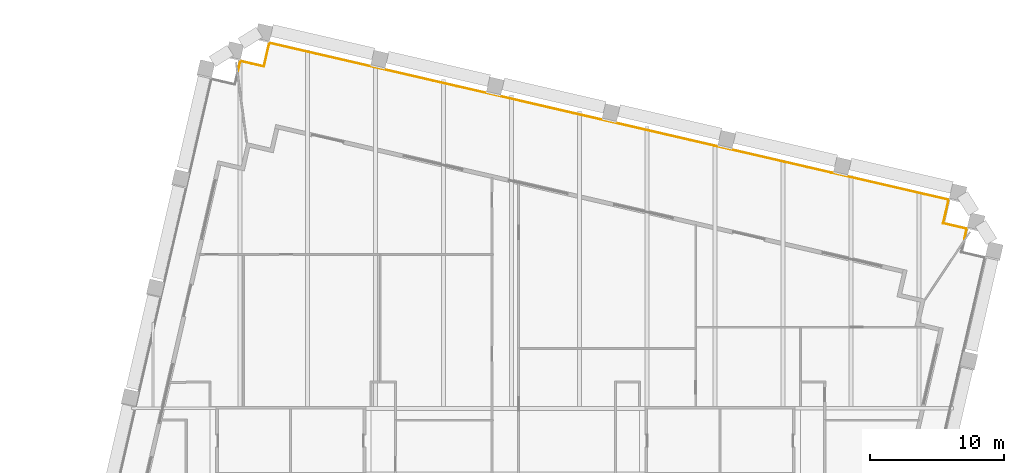
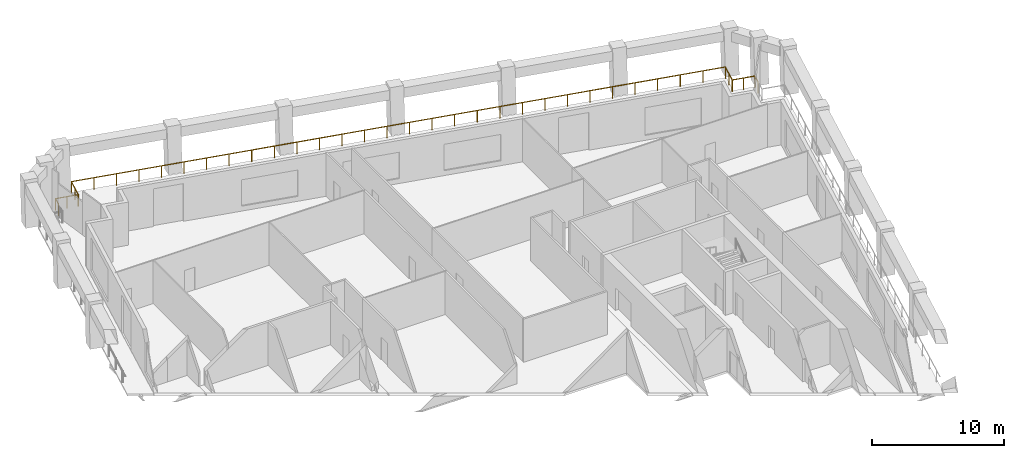
# One storey, part 10 of 10: 1 railing.
"""IFC4 building model written with IfcOpenShell, lengths in metres."""

from ifc_helpers import new_model, si_unit, direction, frame, origin, origin_2d, place, context, subcontext, project, spatial, circle, extrude, material, type_object, element, save


model = new_model("IFC4")

# Units and contexts
model_context = context("Model", 3, precision=1e-05, world=origin(), true_north=direction((0.0, 1.0)))
body_context = subcontext(model_context, "Body", "Model", "MODEL_VIEW")
ifc_project = project(units=[si_unit("LENGTHUNIT", "METRE"), si_unit("AREAUNIT", "SQUARE_METRE"), si_unit("VOLUMEUNIT", "CUBIC_METRE"), si_unit("PLANEANGLEUNIT", "RADIAN"), si_unit("MASSUNIT", "GRAM", prefix="KILO")], contexts=[model_context])

# Site, building, storey
site_placement = place(None, origin())
site = spatial("IfcSite", under=ifc_project, at=site_placement, CompositionType="ELEMENT")
building_placement = place(site_placement, origin())
building = spatial("IfcBuilding", under=site, at=building_placement, Name="Ogive Exchange Tower", CompositionType="ELEMENT")
storey_placement = place(building_placement, frame((0.0, 0.0, 280.800048828125)))
storey = spatial("IfcBuildingStorey", under=building, at=storey_placement, Name="L61", CompositionType="ELEMENT", Elevation=280.800048828125)

# Railing
ifc_material = material(Name="Stainless steel 316", Category="steel")
railing_type = type_object("IfcRailingType", Name="Guard 1100 stainless steel and glass", PredefinedType="GUARDRAIL", material=ifc_material)
railing_placement = place(storey_placement, frame((-19.925537109375, 55.686279296875, -0.050048828125)))
element("IfcRailing", 1, at=railing_placement, inside=storey, type_object=railing_type, Name="Loggia guard 3", PredefinedType="GUARDRAIL", context=body_context, shape_type="SweptSolid", body=[
    extrude(circle(Radius=0.02392578125, at=origin_2d()), frame((0.0, 0.0, 1.076171875), z_axis=(0.224906370194, 0.974380379855, 0.0), x_axis=(-0.974380379855, 0.224906370194, 0.0)), (0.0, 0.0, 1.0), 0.760986328125),
    extrude(circle(Radius=0.02392578125, at=origin_2d()), frame((0.171142578125, 0.741455078125, 1.076171875), z_axis=(0.974356896201, -0.225008086135, 0.0), x_axis=(0.225008086135, 0.974356896201, 0.0)), (0.0, 0.0, 1.0), 1.800048828125),
    extrude(circle(Radius=0.02392578125, at=origin_2d()), frame((1.925048828125, 0.33642578125, 1.076171875), z_axis=(0.224879318197, 0.974386623598, 0.0), x_axis=(-0.974386623598, 0.224879318197, 0.0)), (0.0, 0.0, 1.0), 1.800048828125),
    extrude(circle(Radius=0.02392578125, at=origin_2d()), frame((2.329833984375, 2.09033203125, 1.076171875), z_axis=(0.974370126852, -0.224950785504, 0.0), x_axis=(0.224950785504, 0.974370126852, 0.0)), (0.0, 0.0, 1.0), 51.960205078125),
    extrude(circle(Radius=0.02392578125, at=origin_2d()), frame((52.958251953125, -9.59814453125, 1.076171875), z_axis=(-0.225008086135, -0.974356896201, 0.0), x_axis=(0.974356896201, -0.225008086135, 0.0)), (0.0, 0.0, 1.0), 1.800048828125),
    extrude(circle(Radius=0.02392578125, at=origin_2d()), frame((52.55322265625, -11.35205078125, 1.076171875), z_axis=(0.974386623598, -0.224879318197, 0.0), x_axis=(0.224879318197, 0.974386623598, 0.0)), (0.0, 0.0, 1.0), 1.800048828125),
    extrude(circle(Radius=0.02392578125, at=origin_2d()), frame((54.30712890625, -11.7568359375, 1.076171875), z_axis=(-0.224906370194, -0.974380379855, 0.0), x_axis=(0.974380379855, -0.224906370194, 0.0)), (0.0, 0.0, 1.0), 0.760986328125),
    extrude(circle(Radius=0.02099609375, at=origin_2d()), origin(), (0.0, 0.0, 1.0), 1.052001953125),
    extrude(circle(Radius=0.02099609375, at=origin_2d()), frame((0.171142578125, 0.741455078125, 0.0)), (0.0, 0.0, 1.0), 1.052001953125),
    extrude(circle(Radius=0.02099609375, at=origin_2d()), frame((1.048095703125, 0.5390625, 0.0)), (0.0, 0.0, 1.0), 1.052001953125),
    extrude(circle(Radius=0.02099609375, at=origin_2d()), frame((1.925048828125, 0.33642578125, 0.0)), (0.0, 0.0, 1.0), 1.052001953125),
    extrude(circle(Radius=0.02099609375, at=origin_2d()), frame((2.12744140625, 1.21337890625, 0.0)), (0.0, 0.0, 1.0), 1.052001953125),
    extrude(circle(Radius=0.02099609375, at=origin_2d()), frame((2.329833984375, 2.09033203125, 0.0)), (0.0, 0.0, 1.0), 1.052001953125),
    extrude(circle(Radius=0.02099609375, at=origin_2d()), frame((4.07568359375, 1.687255859375, 0.0)), (0.0, 0.0, 1.0), 1.052001953125),
    extrude(circle(Radius=0.02099609375, at=origin_2d()), frame((5.821533203125, 1.2841796875, 0.0)), (0.0, 0.0, 1.0), 1.052001953125),
    extrude(circle(Radius=0.02099609375, at=origin_2d()), frame((7.567138671875, 0.881103515625, 0.0)), (0.0, 0.0, 1.0), 1.052001953125),
    extrude(circle(Radius=0.02099609375, at=origin_2d()), frame((9.31298828125, 0.47802734375, 0.0)), (0.0, 0.0, 1.0), 1.052001953125),
    extrude(circle(Radius=0.02099609375, at=origin_2d()), frame((11.058837890625, 0.0751953125, 0.0)), (0.0, 0.0, 1.0), 1.052001953125),
    extrude(circle(Radius=0.02099609375, at=origin_2d()), frame((12.8046875, -0.327880859375, 0.0)), (0.0, 0.0, 1.0), 1.052001953125),
    extrude(circle(Radius=0.02099609375, at=origin_2d()), frame((14.550537109375, -0.73095703125, 0.0)), (0.0, 0.0, 1.0), 1.052001953125),
    extrude(circle(Radius=0.02099609375, at=origin_2d()), frame((16.29638671875, -1.134033203125, 0.0)), (0.0, 0.0, 1.0), 1.052001953125),
    extrude(circle(Radius=0.02099609375, at=origin_2d()), frame((18.0419921875, -1.537109375, 0.0)), (0.0, 0.0, 1.0), 1.052001953125),
    extrude(circle(Radius=0.02099609375, at=origin_2d()), frame((19.787841796875, -1.940185546875, 0.0)), (0.0, 0.0, 1.0), 1.052001953125),
    extrude(circle(Radius=0.02099609375, at=origin_2d()), frame((21.53369140625, -2.34326171875, 0.0)), (0.0, 0.0, 1.0), 1.052001953125),
    extrude(circle(Radius=0.02099609375, at=origin_2d()), frame((23.279541015625, -2.746337890625, 0.0)), (0.0, 0.0, 1.0), 1.052001953125),
    extrude(circle(Radius=0.02099609375, at=origin_2d()), frame((25.025390625, -3.1494140625, 0.0)), (0.0, 0.0, 1.0), 1.052001953125),
    extrude(circle(Radius=0.02099609375, at=origin_2d()), frame((26.771240234375, -3.552490234375, 0.0)), (0.0, 0.0, 1.0), 1.052001953125),
    extrude(circle(Radius=0.02099609375, at=origin_2d()), frame((28.516845703125, -3.955322265625, 0.0)), (0.0, 0.0, 1.0), 1.052001953125),
    extrude(circle(Radius=0.02099609375, at=origin_2d()), frame((30.2626953125, -4.3583984375, 0.0)), (0.0, 0.0, 1.0), 1.052001953125),
    extrude(circle(Radius=0.02099609375, at=origin_2d()), frame((32.008544921875, -4.761474609375, 0.0)), (0.0, 0.0, 1.0), 1.052001953125),
    extrude(circle(Radius=0.02099609375, at=origin_2d()), frame((33.75439453125, -5.16455078125, 0.0)), (0.0, 0.0, 1.0), 1.052001953125),
    extrude(circle(Radius=0.02099609375, at=origin_2d()), frame((35.500244140625, -5.567626953125, 0.0)), (0.0, 0.0, 1.0), 1.052001953125),
    extrude(circle(Radius=0.02099609375, at=origin_2d()), frame((37.24609375, -5.970703125, 0.0)), (0.0, 0.0, 1.0), 1.052001953125),
    extrude(circle(Radius=0.02099609375, at=origin_2d()), frame((38.99169921875, -6.373779296875, 0.0)), (0.0, 0.0, 1.0), 1.052001953125),
    extrude(circle(Radius=0.02099609375, at=origin_2d()), frame((40.737548828125, -6.77685546875, 0.0)), (0.0, 0.0, 1.0), 1.052001953125),
    extrude(circle(Radius=0.02099609375, at=origin_2d()), frame((42.4833984375, -7.179931640625, 0.0)), (0.0, 0.0, 1.0), 1.052001953125),
    extrude(circle(Radius=0.02099609375, at=origin_2d()), frame((44.229248046875, -7.5830078125, 0.0)), (0.0, 0.0, 1.0), 1.052001953125),
    extrude(circle(Radius=0.02099609375, at=origin_2d()), frame((45.97509765625, -7.98583984375, 0.0)), (0.0, 0.0, 1.0), 1.052001953125),
    extrude(circle(Radius=0.02099609375, at=origin_2d()), frame((47.720947265625, -8.388916015625, 0.0)), (0.0, 0.0, 1.0), 1.052001953125),
    extrude(circle(Radius=0.02099609375, at=origin_2d()), frame((49.466552734375, -8.7919921875, 0.0)), (0.0, 0.0, 1.0), 1.052001953125),
    extrude(circle(Radius=0.02099609375, at=origin_2d()), frame((51.21240234375, -9.195068359375, 0.0)), (0.0, 0.0, 1.0), 1.052001953125),
    extrude(circle(Radius=0.02099609375, at=origin_2d()), frame((52.958251953125, -9.59814453125, 0.0)), (0.0, 0.0, 1.0), 1.052001953125),
    extrude(circle(Radius=0.02099609375, at=origin_2d()), frame((52.755859375, -10.47509765625, 0.0)), (0.0, 0.0, 1.0), 1.052001953125),
    extrude(circle(Radius=0.02099609375, at=origin_2d()), frame((52.55322265625, -11.35205078125, 0.0)), (0.0, 0.0, 1.0), 1.052001953125),
    extrude(circle(Radius=0.02099609375, at=origin_2d()), frame((53.43017578125, -11.554443359375, 0.0)), (0.0, 0.0, 1.0), 1.052001953125),
    extrude(circle(Radius=0.02099609375, at=origin_2d()), frame((54.30712890625, -11.7568359375, 0.0)), (0.0, 0.0, 1.0), 1.052001953125),
    extrude(circle(Radius=0.02099609375, at=origin_2d()), frame((54.135986328125, -12.498291015625, 0.0)), (0.0, 0.0, 1.0), 1.052001953125),
])

save(model, "model.ifc")
